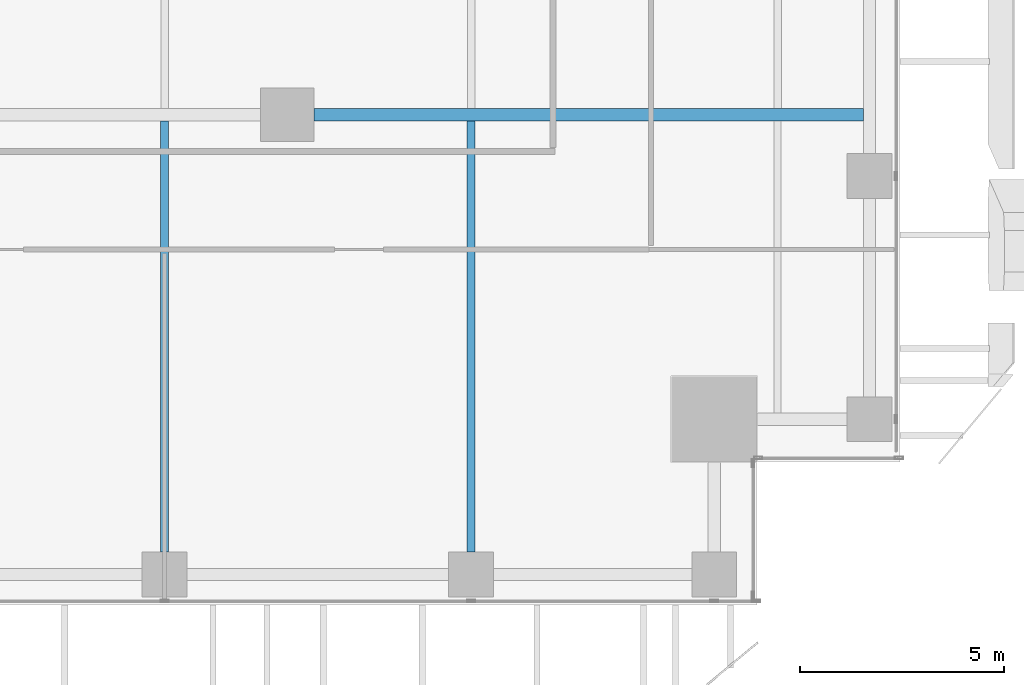
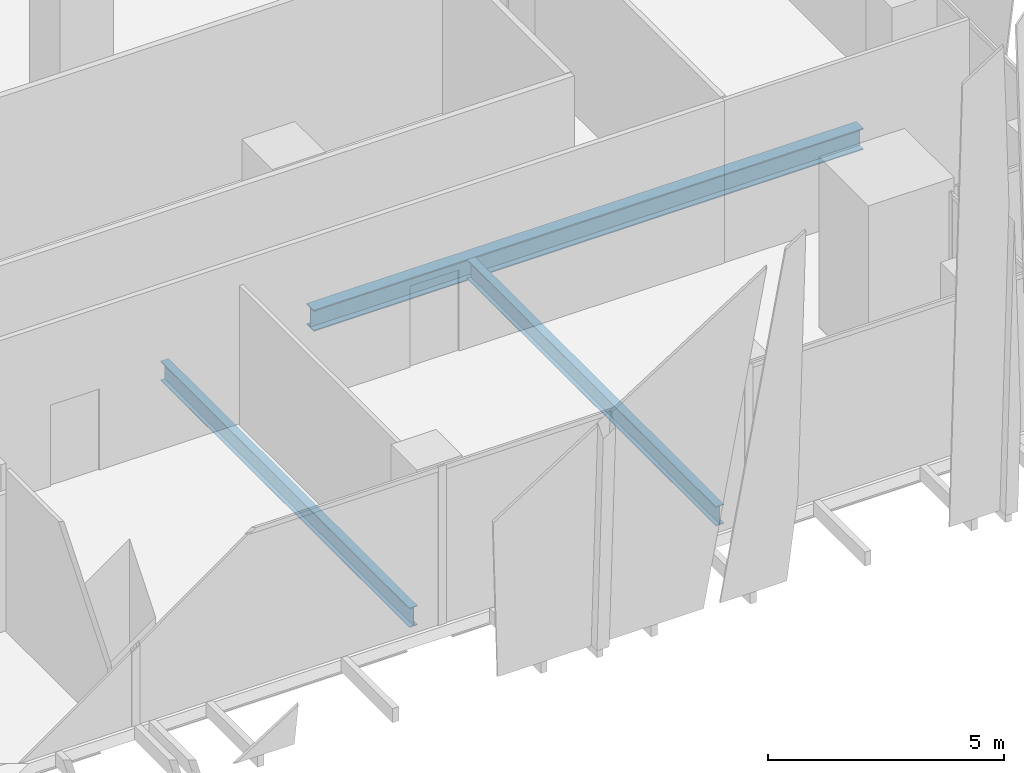
# One storey, part 8 of 35: 3 beams.
"""IFC4 building model written with IfcOpenShell, lengths in metres."""

from ifc_helpers import new_model, si_unit, direction, frame, origin, origin_2d, place, context, subcontext, project, spatial, i_section, extrude, source, transform, mapped, material, material_profile, profile_set, type_object, element, save


model = new_model("IFC4")

# Units and contexts
model_context = context("Model", 3, precision=1e-05, world=origin(), true_north=direction((0.0, 1.0)))
body_context = subcontext(model_context, "Body", "Model", "MODEL_VIEW")
ifc_project = project(units=[si_unit("LENGTHUNIT", "METRE"), si_unit("AREAUNIT", "SQUARE_METRE"), si_unit("VOLUMEUNIT", "CUBIC_METRE"), si_unit("PLANEANGLEUNIT", "RADIAN"), si_unit("MASSUNIT", "GRAM", prefix="KILO")], contexts=[model_context])

# Site, building, storey
site_placement = place(None, origin())
site = spatial("IfcSite", under=ifc_project, at=site_placement, CompositionType="ELEMENT")
building_placement = place(site_placement, origin())
building = spatial("IfcBuilding", under=site, at=building_placement, Name="Khomas Fold Tower", CompositionType="ELEMENT")
storey_placement = place(building_placement, frame((0.0, 0.0, 127.89990234375)))
storey = spatial("IfcBuildingStorey", under=building, at=storey_placement, Name="L27", CompositionType="ELEMENT", Elevation=127.89990234375)

# Beams
ifc_material_1 = material(Name="Steel S355", Category="steel")
ifc_material_profile_1 = material_profile(ifc_material_1, i_section(OverallWidth=0.300048828125, OverallDepth=0.550048828125, WebThickness=0.014892578125, FlangeThickness=0.029052734375, at=origin_2d()), Name="HE 550 B")
ifc_profile_set_1 = profile_set([ifc_material_profile_1], Name="Steel S355")
beam_type_1 = type_object("IfcBeamType", Name="HE 550 B beam GB4", PredefinedType="BEAM", material=ifc_profile_set_1)
shared_shape_1 = source(origin(), body_context, "Body", "SweptSolid", [
    extrude(i_section(OverallWidth=0.300048828125, OverallDepth=0.550048828125, WebThickness=0.014892578125, FlangeThickness=0.029052734375, at=origin_2d()), origin(), (0.0, 0.0, 1.0), 13.4501953125),
])
beam_placement = place(storey_placement, frame((38.14990234375, 13.5, -0.574951171875), z_axis=(1.0, 0.0, 0.0), x_axis=(0.0, 1.0, 0.0)))
element("IfcBeam", 1, at=beam_placement, inside=storey, type_object=beam_type_1, Name="GB4", PredefinedType="BEAM", context=body_context, shape_type="MappedRepresentation", body=[
    mapped(shared_shape_1, transform((0.0, 0.0, 0.0))),
])
ifc_material_2 = material(Name="Steel S355", Category="steel")
ifc_material_profile_2 = material_profile(ifc_material_2, i_section(OverallWidth=0.199951171875, OverallDepth=0.5, WebThickness=0.01025390625, FlangeThickness=0.01611328125, at=origin_2d()), Name="IPE 500")
ifc_profile_set_2 = profile_set([ifc_material_profile_2], Name="Steel S355")
beam_type_2 = type_object("IfcBeamType", Name="IPE 500 beam JB5", PredefinedType="BEAM", material=ifc_profile_set_2)
shared_shape_2 = source(origin(), body_context, "Body", "SweptSolid", [
    extrude(i_section(OverallWidth=0.199951171875, OverallDepth=0.5, WebThickness=0.01025390625, FlangeThickness=0.01611328125, at=origin_2d()), origin(), (0.0, 0.0, 1.0), 10.550048828125),
])
for number, where, z_axis, x_axis, name in (
    (2, (34.5, 2.800048828125, -0.5498046875), (0.0, 1.0, 0.0), (-1.0, 0.0, 0.0), "JB5"),
    (3, (42.0, 2.800048828125, -0.5498046875), (0.0, 1.0, 0.0), (-1.0, 0.0, 0.0), "JB5"),
):
    element("IfcBeam", number, at=place(storey_placement, frame(where, z_axis=z_axis, x_axis=x_axis)), inside=storey, type_object=beam_type_2, Name=name, PredefinedType="BEAM", context=body_context, shape_type="MappedRepresentation", body=[
        mapped(shared_shape_2, transform((0.0, 0.0, 0.0))),
    ])

save(model, "model.ifc")
